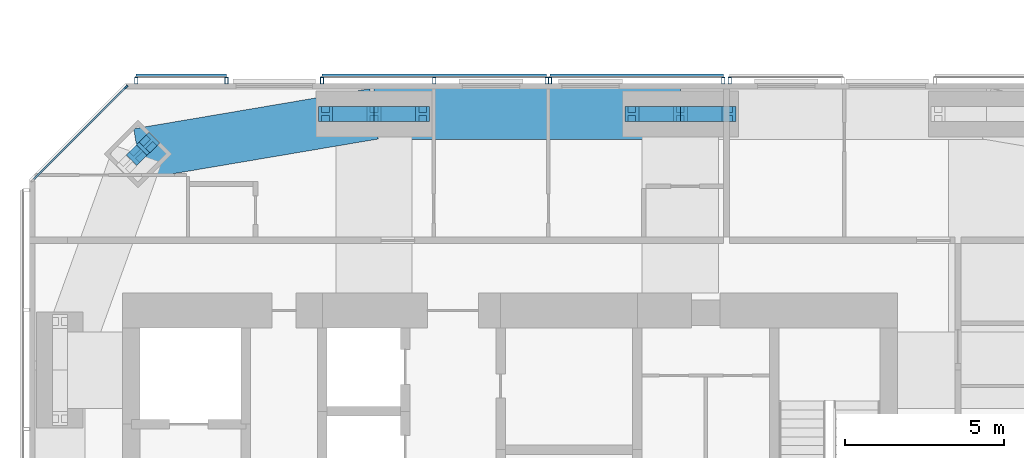
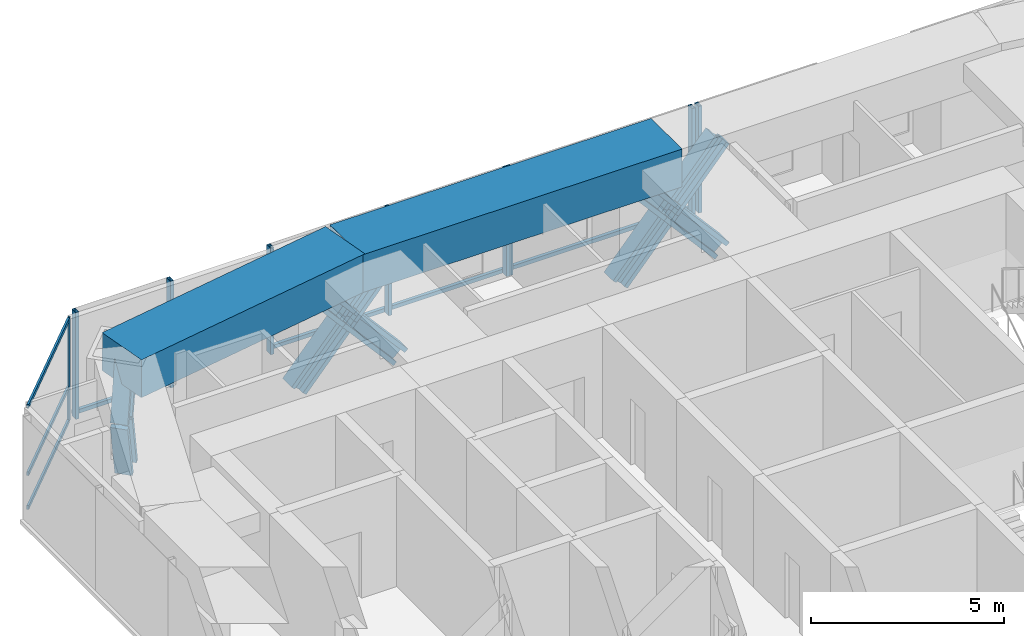
# One storey, part 10 of 19: 25 members, 2 beams, 5 elements without a shape of their own.
"""IFC4 building model written with IfcOpenShell, lengths in metres."""

from ifc_helpers import new_model, si_unit, direction, frame, origin, origin_2d, place, context, subcontext, project, spatial, rectangle, hollow_rectangle, i_section, extrude, material, material_profile, profile_set, type_object, element, aggregate, save


model = new_model("IFC4")

# Units and contexts
model_context = context("Model", 3, precision=1e-05, world=origin(), true_north=direction((0.0, 1.0)))
body_context = subcontext(model_context, "Body", "Model", "MODEL_VIEW")
ifc_project = project(units=[si_unit("LENGTHUNIT", "METRE"), si_unit("AREAUNIT", "SQUARE_METRE"), si_unit("VOLUMEUNIT", "CUBIC_METRE"), si_unit("PLANEANGLEUNIT", "RADIAN"), si_unit("MASSUNIT", "GRAM", prefix="KILO")], contexts=[model_context])

# Site, building, storey
site_placement = place(None, origin())
site = spatial("IfcSite", under=ifc_project, at=site_placement, CompositionType="ELEMENT")
building_placement = place(site_placement, origin())
building = spatial("IfcBuilding", under=site, at=building_placement, Name="Jalousie Tower", CompositionType="ELEMENT")
storey_placement = place(building_placement, frame((0.0, 0.0, 221.449951171875)))
storey = spatial("IfcBuildingStorey", under=building, at=storey_placement, Name="L60", CompositionType="ELEMENT", Elevation=221.449951171875)

# Curtain wall, members
ifc_material_1 = material(Name="Aluminium curtain wall", Category="aluminium")
curtain_wall_type_1 = type_object("IfcCurtainWallType", Name="CORNER WINDOW WALL", PredefinedType="USERDEFINED", material=ifc_material_1)
curtain_wall_1_placement = place(storey_placement, origin())
curtain_wall_1 = element("IfcCurtainWall", 1, at=curtain_wall_1_placement, inside=storey, type_object=curtain_wall_type_1, Name="Corner Window Wall L60 6", ObjectType="CORNER WINDOW WALL", PredefinedType="USERDEFINED")
ifc_material_2 = material(Name="Aluminium mullion", Category="aluminium")
ifc_material_profile_1 = material_profile(ifc_material_2, rectangle(XDim=0.06005859375, YDim=0.14990234375, at=origin_2d()), Name="MULLION 60x150")
ifc_profile_set_1 = profile_set([ifc_material_profile_1], Name="Aluminium mullion")
member_type_1 = type_object("IfcMemberType", Name="CORNER WINDOW WALL MULLION", PredefinedType="MULLION", material=ifc_profile_set_1)
member_1_placement = place(storey_placement, frame((19.830078125, 33.891357421875, 0.0), z_axis=(0.0, 0.0, 1.0), x_axis=(0.707106781187, -0.707106781187, 0.0)))
member_1 = element("IfcMember", 2, at=member_1_placement, type_object=member_type_1, Name="CW-C mullion 1", PredefinedType="MULLION", context=body_context, shape_type="SweptSolid", body=[
    extrude(rectangle(XDim=0.06005859375, YDim=0.14990234375, at=origin_2d()), origin(), (0.0, 0.0, 1.0), 3.260009765625),
])
ifc_material_3 = material(Name="Aluminium transom", Category="aluminium")
ifc_material_profile_2 = material_profile(ifc_material_3, rectangle(XDim=0.06005859375, YDim=0.1201171875, at=origin_2d()), Name="TRANSOM 60x120")
ifc_profile_set_2 = profile_set([ifc_material_profile_2], Name="Aluminium transom")
member_type_2 = type_object("IfcMemberType", Name="CORNER WINDOW WALL TRANSOM", PredefinedType="USERDEFINED", material=ifc_profile_set_2)
member_2_placement = place(storey_placement, frame((19.808837890625, 33.8701171875, 0.030029296875), z_axis=(-0.707106781187, -0.707106781187, 0.0), x_axis=(0.707106781187, -0.707106781187, 0.0)))
member_2 = element("IfcMember", 3, at=member_2_placement, type_object=member_type_2, Name="CW-C transom 1.1", ObjectType="TRANSOM", PredefinedType="USERDEFINED", context=body_context, shape_type="SweptSolid", body=[
    extrude(rectangle(XDim=0.06005859375, YDim=0.1201171875, at=origin_2d()), origin(), (0.0, 0.0, 1.0), 4.0712890625),
])
member_3_placement = place(storey_placement, frame((19.808837890625, 33.8701171875, 1.10009765625), z_axis=(-0.707106781187, -0.707106781187, 0.0), x_axis=(0.707106781187, -0.707106781187, 0.0)))
member_3 = element("IfcMember", 4, at=member_3_placement, type_object=member_type_2, Name="CW-C transom 1.2", ObjectType="TRANSOM", PredefinedType="USERDEFINED", context=body_context, shape_type="SweptSolid", body=[
    extrude(rectangle(XDim=0.06005859375, YDim=0.1201171875, at=origin_2d()), origin(), (0.0, 0.0, 1.0), 4.0712890625),
])
member_4_placement = place(storey_placement, frame((19.808837890625, 33.8701171875, 3.22998046875), z_axis=(-0.707106781187, -0.707106781187, 0.0), x_axis=(0.707106781187, -0.707106781187, 0.0)))
member_4 = element("IfcMember", 5, at=member_4_placement, type_object=member_type_2, Name="CW-C transom 1.3", ObjectType="TRANSOM", PredefinedType="USERDEFINED", context=body_context, shape_type="SweptSolid", body=[
    extrude(rectangle(XDim=0.06005859375, YDim=0.1201171875, at=origin_2d()), origin(), (0.0, 0.0, 1.0), 4.0712890625),
])
aggregate(curtain_wall_1, [member_1, member_2, member_3, member_4])

# Members
ifc_material_4 = material(Name="Steel ASTM A992 Grade 50", Category="steel")
ifc_material_profile_3 = material_profile(ifc_material_4, i_section(OverallWidth=0.472412109375, OverallDepth=0.5791015625, WebThickness=0.094970703125, FlangeThickness=0.1298828125, at=origin_2d()), Name="W14X808")
ifc_profile_set_3 = profile_set([ifc_material_profile_3], Name="Steel ASTM A992 Grade 50")
member_type_3 = type_object("IfcMemberType", Name="PERIMETER BRACE W14X808", PredefinedType="BRACE", material=ifc_profile_set_3)
for number, where, z_axis, x_axis, name in (
    (6, (35.72509765625, 33.050048828125, -0.599853515625), (0.65695436777, 0.0, 0.753930340726), (0.0, 1.0, 0.0), "Perimeter brace 10 L60 part 1"),
    (7, (37.25, 33.050048828125, 1.150146484375), (0.65695436777, 0.0, 0.753930340726), (0.0, 1.0, 0.0), "Perimeter brace 10 L60 part 2"),
    (8, (38.77490234375, 33.050048828125, -0.599853515625), (-0.65695436777, 0.0, 0.753930340726), (0.0, -1.0, 0.0), "Perimeter brace 10 L60 part 3"),
    (9, (37.25, 33.050048828125, 1.150146484375), (-0.65695436777, 0.0, 0.753930340726), (0.0, -1.0, 0.0), "Perimeter brace 10 L60 part 4"),
    (10, (26.10009765625, 33.050048828125, -0.599853515625), (0.65695436777, 0.0, 0.753930340726), (0.0, 1.0, 0.0), "Perimeter brace 11 L60 part 1"),
    (11, (27.625, 33.050048828125, 1.150146484375), (0.65695436777, 0.0, 0.753930340726), (0.0, 1.0, 0.0), "Perimeter brace 11 L60 part 2"),
    (12, (29.14990234375, 33.050048828125, -0.599853515625), (-0.65695436777, 0.0, 0.753930340726), (0.0, -1.0, 0.0), "Perimeter brace 11 L60 part 3"),
    (13, (27.625, 33.050048828125, 1.150146484375), (-0.65695436777, 0.0, 0.753930340726), (0.0, -1.0, 0.0), "Perimeter brace 11 L60 part 4"),
):
    element("IfcMember", number, at=place(storey_placement, frame(where, z_axis=z_axis, x_axis=x_axis)), inside=storey, type_object=member_type_3, Name=name, PredefinedType="BRACE", context=body_context, shape_type="SweptSolid", body=[
        extrude(i_section(OverallWidth=0.472412109375, OverallDepth=0.5791015625, WebThickness=0.094970703125, FlangeThickness=0.1298828125, at=origin_2d()), origin(), (0.0, 0.0, 1.0), 2.3212890625),
    ])
for number, where, z_axis, x_axis, name in (
    (14, (20.525390625, 32.111083984375, -0.599853515625), (-0.17618653952, -0.176051427143, 0.968485517854), (0.706835495285, -0.707377963048, 0.0), "Perimeter brace 12 L60 part 1"),
    (15, (20.20703125, 31.79296875, 1.150146484375), (0.17618653952, 0.176051427143, 0.968485517854), (-0.706835495285, 0.707377963048, 0.0), "Perimeter brace 12 L60 part 4"),
):
    element("IfcMember", number, at=place(storey_placement, frame(where, z_axis=z_axis, x_axis=x_axis)), inside=storey, type_object=member_type_3, Name=name, PredefinedType="BRACE", context=body_context, shape_type="SweptSolid", body=[
        extrude(i_section(OverallWidth=0.472412109375, OverallDepth=0.5791015625, WebThickness=0.094970703125, FlangeThickness=0.1298828125, at=origin_2d()), origin(), (0.0, 0.0, 1.0), 1.806884765625),
    ])

# Beams
ifc_material_5 = material(Name="Concrete f'c 40 MPa", Category="concrete")
ifc_material_profile_4 = material_profile(ifc_material_5, rectangle(XDim=1.60009765625, YDim=1.199951171875, at=origin_2d()), Name="RC 1600x1200")
ifc_profile_set_4 = profile_set([ifc_material_profile_4], Name="Concrete f'c 40 MPa")
beam_type = type_object("IfcBeamType", Name="RC BEAM 1600x1200", PredefinedType="BEAM", material=ifc_profile_set_4)
beam_1_placement = place(storey_placement, frame((37.25, 33.050048828125, 2.900146484375), z_axis=(-1.0, 0.0, 0.0), x_axis=(0.0, -1.0, 0.0)))
element("IfcBeam", 16, at=beam_1_placement, inside=storey, type_object=beam_type, Name="Edge band beam 10-11 under L61", PredefinedType="BEAM", context=body_context, shape_type="SweptSolid", body=[
    extrude(rectangle(XDim=1.60009765625, YDim=1.199951171875, at=origin_2d()), origin(), (0.0, 0.0, 1.0), 9.625),
])
beam_2_placement = place(storey_placement, frame((27.625, 33.050048828125, 2.900146484375), z_axis=(-0.985942997446, -0.167082033105, 0.0), x_axis=(0.167082033105, -0.985942997446, 0.0)))
element("IfcBeam", 17, at=beam_2_placement, inside=storey, type_object=beam_type, Name="Edge band beam 11-12 under L61", PredefinedType="BEAM", context=body_context, shape_type="SweptSolid", body=[
    extrude(rectangle(XDim=1.60009765625, YDim=1.199951171875, at=origin_2d()), origin(), (0.0, 0.0, 1.0), 7.523681640625),
])

# Curtain wall, member
ifc_material_6 = material(Name="Perforated aluminium sheet", Category="aluminium")
curtain_wall_type_2 = type_object("IfcCurtainWallType", Name="SOLAR SCREEN SS-2", PredefinedType="USERDEFINED", material=ifc_material_6)
curtain_wall_2_placement = place(storey_placement, origin())
curtain_wall_2 = element("IfcCurtainWall", 18, at=curtain_wall_2_placement, inside=storey, type_object=curtain_wall_type_2, Name="Solar screen L60", ObjectType="SOLAR SCREEN SS-2", PredefinedType="USERDEFINED")
ifc_material_7 = material(Name="Steel ASTM A500 Grade C", Category="steel")
ifc_material_profile_5 = material_profile(ifc_material_7, hollow_rectangle(XDim=0.1015625, YDim=0.203125, WallThickness=0.0078125, at=origin_2d()), Name="HSS8X4X5/16")
ifc_profile_set_5 = profile_set([ifc_material_profile_5], Name="Steel ASTM A500 Grade C")
member_type_4 = type_object("IfcMemberType", Name="SOLAR SCREEN SS-2 MULLION", PredefinedType="MULLION", material=ifc_profile_set_5)
member_5_placement = place(storey_placement, frame((38.800048828125, 34.0966796875, -0.119873046875), z_axis=(0.0, 0.0, 1.0), x_axis=(-1.0, 0.0, 0.0)))
member_5 = element("IfcMember", 19, at=member_5_placement, type_object=member_type_4, Name="SS2 post 2", PredefinedType="MULLION", context=body_context, shape_type="SweptSolid", body=[
    extrude(hollow_rectangle(XDim=0.1015625, YDim=0.203125, WallThickness=0.0078125, at=origin_2d()), origin(), (0.0, 0.0, 1.0), 3.3798828125),
])
aggregate(curtain_wall_2, [member_5])

# Curtain wall, members
curtain_wall_3_placement = place(storey_placement, origin())
curtain_wall_3 = element("IfcCurtainWall", 20, at=curtain_wall_3_placement, inside=storey, type_object=curtain_wall_type_2, Name="Solar screen L60", ObjectType="SOLAR SCREEN SS-2", PredefinedType="USERDEFINED")
member_6_placement = place(storey_placement, frame((38.60009765625, 34.0966796875, -0.119873046875), z_axis=(0.0, 0.0, 1.0), x_axis=(-1.0, 0.0, 0.0)))
member_6 = element("IfcMember", 21, at=member_6_placement, type_object=member_type_4, Name="SS2 post 1", PredefinedType="MULLION", context=body_context, shape_type="SweptSolid", body=[
    extrude(hollow_rectangle(XDim=0.1015625, YDim=0.203125, WallThickness=0.0078125, at=origin_2d()), origin(), (0.0, 0.0, 1.0), 3.3798828125),
])
member_7_placement = place(storey_placement, frame((33.14990234375, 34.0966796875, -0.119873046875), z_axis=(0.0, 0.0, 1.0), x_axis=(-1.0, 0.0, 0.0)))
member_7 = element("IfcMember", 22, at=member_7_placement, type_object=member_type_4, Name="SS2 post 2", PredefinedType="MULLION", context=body_context, shape_type="SweptSolid", body=[
    extrude(hollow_rectangle(XDim=0.1015625, YDim=0.203125, WallThickness=0.0078125, at=origin_2d()), origin(), (0.0, 0.0, 1.0), 3.3798828125),
])

curtain_wall_4_placement = place(storey_placement, origin())
curtain_wall_4 = element("IfcCurtainWall", 23, at=curtain_wall_4_placement, inside=storey, type_object=curtain_wall_type_2, Name="Solar screen L60", ObjectType="SOLAR SCREEN SS-2", PredefinedType="USERDEFINED")
member_8_placement = place(storey_placement, frame((33.050048828125, 34.0966796875, -0.119873046875), z_axis=(0.0, 0.0, 1.0), x_axis=(-1.0, 0.0, 0.0)))
member_8 = element("IfcMember", 24, at=member_8_placement, type_object=member_type_4, Name="SS2 post 1", PredefinedType="MULLION", context=body_context, shape_type="SweptSolid", body=[
    extrude(hollow_rectangle(XDim=0.1015625, YDim=0.203125, WallThickness=0.0078125, at=origin_2d()), origin(), (0.0, 0.0, 1.0), 3.3798828125),
])
member_9_placement = place(storey_placement, frame((29.51904296875, 34.0966796875, -0.119873046875), z_axis=(0.0, 0.0, 1.0), x_axis=(-1.0, 0.0, 0.0)))
member_9 = element("IfcMember", 25, at=member_9_placement, type_object=member_type_4, Name="SS2 post 2", PredefinedType="MULLION", context=body_context, shape_type="SweptSolid", body=[
    extrude(hollow_rectangle(XDim=0.1015625, YDim=0.203125, WallThickness=0.0078125, at=origin_2d()), origin(), (0.0, 0.0, 1.0), 3.3798828125),
])
member_10_placement = place(storey_placement, frame((25.988037109375, 34.0966796875, -0.119873046875), z_axis=(0.0, 0.0, 1.0), x_axis=(-1.0, 0.0, 0.0)))
member_10 = element("IfcMember", 26, at=member_10_placement, type_object=member_type_4, Name="SS2 post 3", PredefinedType="MULLION", context=body_context, shape_type="SweptSolid", body=[
    extrude(hollow_rectangle(XDim=0.1015625, YDim=0.203125, WallThickness=0.0078125, at=origin_2d()), origin(), (0.0, 0.0, 1.0), 3.3798828125),
])

curtain_wall_5_placement = place(storey_placement, origin())
curtain_wall_5 = element("IfcCurtainWall", 27, at=curtain_wall_5_placement, inside=storey, type_object=curtain_wall_type_2, Name="Solar screen L60", ObjectType="SOLAR SCREEN SS-2", PredefinedType="USERDEFINED")
member_11_placement = place(storey_placement, frame((22.988037109375, 34.0966796875, -0.119873046875), z_axis=(0.0, 0.0, 1.0), x_axis=(-1.0, 0.0, 0.0)))
member_11 = element("IfcMember", 28, at=member_11_placement, type_object=member_type_4, Name="SS2 post 1", PredefinedType="MULLION", context=body_context, shape_type="SweptSolid", body=[
    extrude(hollow_rectangle(XDim=0.1015625, YDim=0.203125, WallThickness=0.0078125, at=origin_2d()), origin(), (0.0, 0.0, 1.0), 3.3798828125),
])
member_12_placement = place(storey_placement, frame((20.1513671875, 34.0966796875, -0.119873046875), z_axis=(0.0, 0.0, 1.0), x_axis=(-1.0, 0.0, 0.0)))
member_12 = element("IfcMember", 29, at=member_12_placement, type_object=member_type_4, Name="SS2 post 2", PredefinedType="MULLION", context=body_context, shape_type="SweptSolid", body=[
    extrude(hollow_rectangle(XDim=0.1015625, YDim=0.203125, WallThickness=0.0078125, at=origin_2d()), origin(), (0.0, 0.0, 1.0), 3.3798828125),
])

# Member
ifc_material_8 = material(Name="Extruded aluminium screen rail", Category="aluminium")
ifc_material_profile_6 = material_profile(ifc_material_8, rectangle(XDim=0.1015625, YDim=0.1201171875, at=origin_2d()), Name="RAIL 102x120")
ifc_profile_set_6 = profile_set([ifc_material_profile_6], Name="Extruded aluminium screen rail")
member_type_5 = type_object("IfcMemberType", Name="SOLAR SCREEN SS-2 TRANSOM", PredefinedType="USERDEFINED", material=ifc_profile_set_6)
member_13_placement = place(storey_placement, frame((38.60009765625, 34.2490234375, -0.06005859375), z_axis=(-1.0, 0.0, 0.0), x_axis=(0.0, -1.0, 0.0)))
member_13 = element("IfcMember", 30, at=member_13_placement, type_object=member_type_5, Name="SS2 rail", ObjectType="TRANSOM", PredefinedType="USERDEFINED", context=body_context, shape_type="SweptSolid", body=[
    extrude(rectangle(XDim=0.1015625, YDim=0.1201171875, at=origin_2d()), origin(), (0.0, 0.0, 1.0), 5.4501953125),
])

aggregate(curtain_wall_3, [member_6, member_7, member_13])

member_14_placement = place(storey_placement, frame((33.050048828125, 34.2490234375, -0.06005859375), z_axis=(-1.0, 0.0, 0.0), x_axis=(0.0, -1.0, 0.0)))
member_14 = element("IfcMember", 31, at=member_14_placement, type_object=member_type_5, Name="SS2 rail", ObjectType="TRANSOM", PredefinedType="USERDEFINED", context=body_context, shape_type="SweptSolid", body=[
    extrude(rectangle(XDim=0.1015625, YDim=0.1201171875, at=origin_2d()), origin(), (0.0, 0.0, 1.0), 7.06201171875),
])

aggregate(curtain_wall_4, [member_8, member_9, member_10, member_14])

member_15_placement = place(storey_placement, frame((22.988037109375, 34.2490234375, -0.06005859375), z_axis=(-1.0, 0.0, 0.0), x_axis=(0.0, -1.0, 0.0)))
member_15 = element("IfcMember", 32, at=member_15_placement, type_object=member_type_5, Name="SS2 rail", ObjectType="TRANSOM", PredefinedType="USERDEFINED", context=body_context, shape_type="SweptSolid", body=[
    extrude(rectangle(XDim=0.1015625, YDim=0.1201171875, at=origin_2d()), origin(), (0.0, 0.0, 1.0), 2.836669921875),
])

aggregate(curtain_wall_5, [member_11, member_12, member_15])

save(model, "model.ifc")
